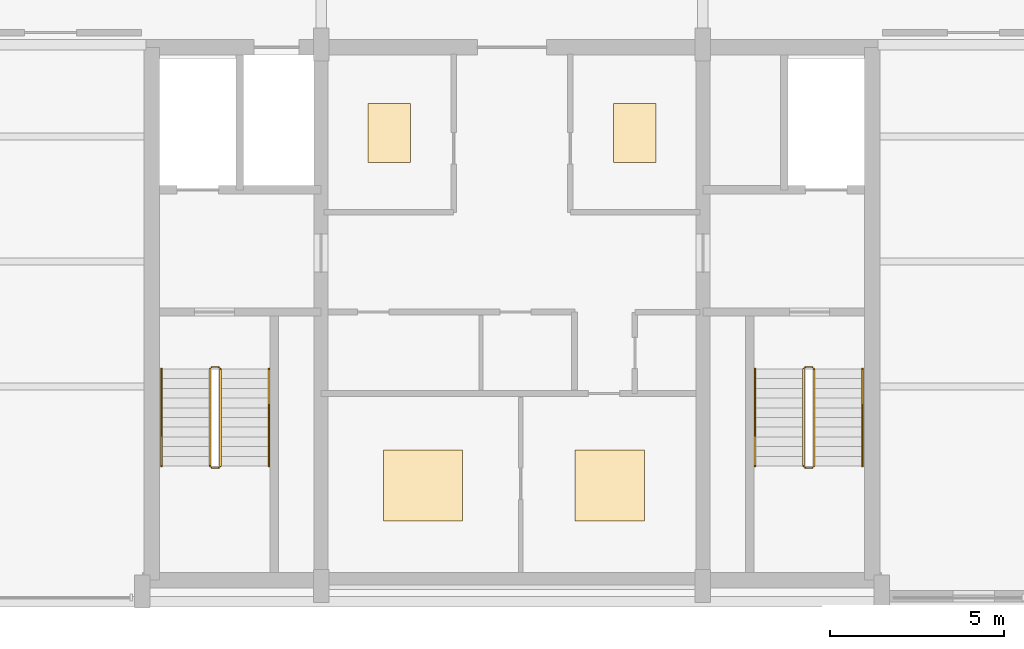
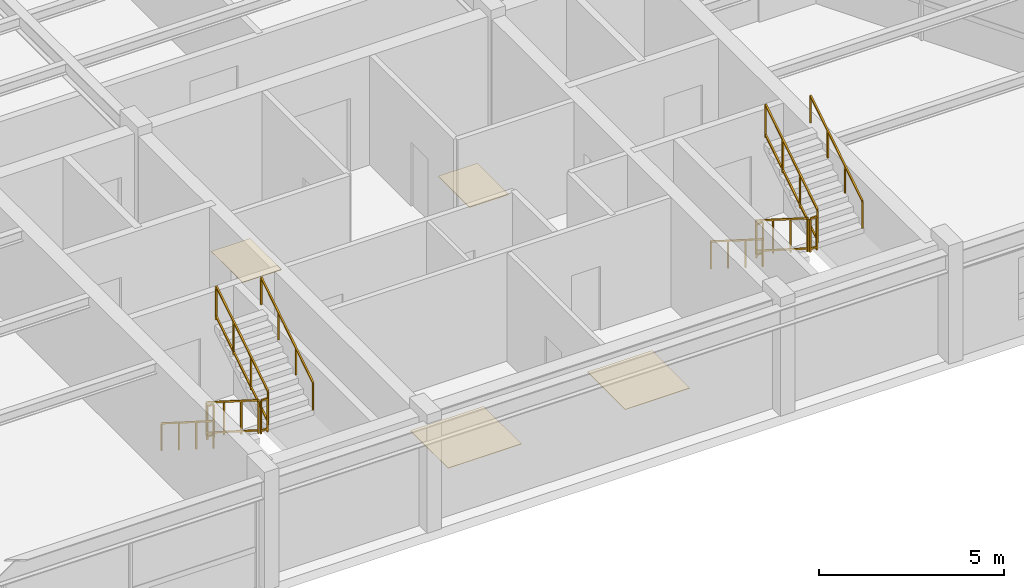
# One storey, part 12 of 12: 12 railings, 4 coverings.
"""IFC4 building model written with IfcOpenShell, lengths in metres."""

from ifc_helpers import new_model, si_unit, direction, frame, origin, origin_2d, place, context, subcontext, project, spatial, rectangle, extrude, source, transform, mapped, material, layer, layer_set, type_object, element, save


model = new_model("IFC4")

# Units and contexts
model_context = context("Model", 3, precision=1e-05, world=origin(), true_north=direction((0.0, 1.0)))
body_context = subcontext(model_context, "Body", "Model", "MODEL_VIEW")
ifc_project = project(units=[si_unit("LENGTHUNIT", "METRE"), si_unit("AREAUNIT", "SQUARE_METRE"), si_unit("VOLUMEUNIT", "CUBIC_METRE"), si_unit("PLANEANGLEUNIT", "RADIAN"), si_unit("MASSUNIT", "GRAM", prefix="KILO")], contexts=[model_context])

# Site, building, storey
site_placement = place(None, origin())
site = spatial("IfcSite", under=ifc_project, at=site_placement, CompositionType="ELEMENT")
building_placement = place(site_placement, origin())
building = spatial("IfcBuilding", under=site, at=building_placement, Name="Varnakhor Terracotta Tower", CompositionType="ELEMENT")
storey_placement = place(building_placement, frame((0.0, 0.0, 317.5)))
storey = spatial("IfcBuildingStorey", under=building, at=storey_placement, Name="L83 Crown", CompositionType="ELEMENT", Elevation=317.5)

# Railings
ifc_material_1 = material(Name="Painted Steel Stairwell Guardrail", Category="steel")
railing_type_1 = type_object("IfcRailingType", Name="RLG-STAIR-GUARD-1120", PredefinedType="GUARDRAIL", material=ifc_material_1)
railing_1_placement = place(storey_placement, frame((-8.699951171875, 6.7099609375, 0.17724609375)))
element("IfcRailing", 1, at=railing_1_placement, inside=storey, type_object=railing_type_1, Name="L83 Crown ST-1 stair guard 1", PredefinedType="GUARDRAIL", context=body_context, shape_type="SweptSolid", body=[
    extrude(rectangle(XDim=0.048095703125, YDim=0.048095703125, at=origin_2d()), frame((0.0, 0.0, 1.09619140625), z_axis=(0.0, -0.844908973607, 0.534910110503), x_axis=(1.0, 0.0, 0.0)), (0.0, 0.0, 1.0), 3.31396484375),
    extrude(rectangle(XDim=0.048095703125, YDim=0.048095703125, at=origin_2d()), frame((0.0, 0.0, 0.10009765625), z_axis=(0.0, -0.844908973607, 0.534910110503), x_axis=(1.0, 0.0, 0.0)), (0.0, 0.0, 1.0), 3.31396484375),
    extrude(rectangle(XDim=0.0419921875, YDim=0.0419921875, at=origin_2d()), origin(), (0.0, 0.0, 1.0), 1.072021484375),
    extrude(rectangle(XDim=0.0419921875, YDim=0.0419921875, at=origin_2d()), frame((0.0, -0.933349609375, 0.5908203125)), (0.0, 0.0, 1.0), 1.072021484375),
    extrude(rectangle(XDim=0.0419921875, YDim=0.0419921875, at=origin_2d()), frame((0.0, -1.86669921875, 1.181884765625)), (0.0, 0.0, 1.0), 1.072021484375),
    extrude(rectangle(XDim=0.0419921875, YDim=0.0419921875, at=origin_2d()), frame((0.0, -2.800048828125, 1.772705078125)), (0.0, 0.0, 1.0), 1.072021484375),
])
railing_2_placement = place(storey_placement, frame((-8.64990234375, 3.860107421875, 1.949951171875)))
element("IfcRailing", 2, at=railing_2_placement, inside=storey, type_object=railing_type_1, Name="L83 Crown ST-1 stair guard 2", PredefinedType="GUARDRAIL", context=body_context, shape_type="SweptSolid", body=[
    extrude(rectangle(XDim=0.048095703125, YDim=0.048095703125, at=origin_2d()), frame((0.0, 0.0, 1.09619140625), z_axis=(1.0, 0.0, 0.0), x_axis=(0.0, 1.0, 0.0)), (0.0, 0.0, 1.0), 0.199951171875),
    extrude(rectangle(XDim=0.048095703125, YDim=0.048095703125, at=origin_2d()), frame((0.0, 0.0, 0.10009765625), z_axis=(1.0, 0.0, 0.0), x_axis=(0.0, 1.0, 0.0)), (0.0, 0.0, 1.0), 0.199951171875),
    extrude(rectangle(XDim=0.0419921875, YDim=0.0419921875, at=origin_2d()), origin(), (0.0, 0.0, 1.0), 1.072021484375),
    extrude(rectangle(XDim=0.0419921875, YDim=0.0419921875, at=origin_2d()), frame((0.199951171875, 0.0, 0.0)), (0.0, 0.0, 1.0), 1.072021484375),
])
railing_3_placement = place(storey_placement, frame((-8.39990234375, 3.909912109375, 2.127197265625)))
element("IfcRailing", 3, at=railing_3_placement, inside=storey, type_object=railing_type_1, Name="L83 Crown ST-1 stair guard 3", PredefinedType="GUARDRAIL", context=body_context, shape_type="SweptSolid", body=[
    extrude(rectangle(XDim=0.048095703125, YDim=0.048095703125, at=origin_2d()), frame((0.0, 0.0, 1.09619140625), z_axis=(0.0, 0.844908973607, 0.534910110503), x_axis=(-1.0, 0.0, 0.0)), (0.0, 0.0, 1.0), 3.31396484375),
    extrude(rectangle(XDim=0.048095703125, YDim=0.048095703125, at=origin_2d()), frame((0.0, 0.0, 0.10009765625), z_axis=(0.0, 0.844908973607, 0.534910110503), x_axis=(-1.0, 0.0, 0.0)), (0.0, 0.0, 1.0), 3.31396484375),
    extrude(rectangle(XDim=0.0419921875, YDim=0.0419921875, at=origin_2d()), origin(), (0.0, 0.0, 1.0), 1.072021484375),
    extrude(rectangle(XDim=0.0419921875, YDim=0.0419921875, at=origin_2d()), frame((0.0, 0.933349609375, 0.5908203125)), (0.0, 0.0, 1.0), 1.072021484375),
    extrude(rectangle(XDim=0.0419921875, YDim=0.0419921875, at=origin_2d()), frame((0.0, 1.86669921875, 1.181884765625)), (0.0, 0.0, 1.0), 1.072021484375),
    extrude(rectangle(XDim=0.0419921875, YDim=0.0419921875, at=origin_2d()), frame((0.0, 2.800048828125, 1.772705078125)), (0.0, 0.0, 1.0), 1.072021484375),
])
railing_4_placement = place(storey_placement, frame((-8.64990234375, 6.760009765625, 0.0)))
element("IfcRailing", 4, at=railing_4_placement, inside=storey, type_object=railing_type_1, Name="L83 Crown ST-1 stair guard 4", PredefinedType="GUARDRAIL", context=body_context, shape_type="SweptSolid", body=[
    extrude(rectangle(XDim=0.048095703125, YDim=0.048095703125, at=origin_2d()), frame((0.0, 0.0, 1.09619140625), z_axis=(1.0, 0.0, 0.0), x_axis=(0.0, 1.0, 0.0)), (0.0, 0.0, 1.0), 0.199951171875),
    extrude(rectangle(XDim=0.048095703125, YDim=0.048095703125, at=origin_2d()), frame((0.0, 0.0, 0.10009765625), z_axis=(1.0, 0.0, 0.0), x_axis=(0.0, 1.0, 0.0)), (0.0, 0.0, 1.0), 0.199951171875),
    extrude(rectangle(XDim=0.0419921875, YDim=0.0419921875, at=origin_2d()), origin(), (0.0, 0.0, 1.0), 1.072021484375),
    extrude(rectangle(XDim=0.0419921875, YDim=0.0419921875, at=origin_2d()), frame((0.199951171875, 0.0, 0.0)), (0.0, 0.0, 1.0), 1.072021484375),
])
railing_5_placement = place(storey_placement, frame((8.39990234375, 6.7099609375, 0.17724609375)))
element("IfcRailing", 5, at=railing_5_placement, inside=storey, type_object=railing_type_1, Name="L83 Crown ST-2 stair guard 1", PredefinedType="GUARDRAIL", context=body_context, shape_type="SweptSolid", body=[
    extrude(rectangle(XDim=0.048095703125, YDim=0.048095703125, at=origin_2d()), frame((0.0, 0.0, 1.09619140625), z_axis=(0.0, -0.844908973607, 0.534910110503), x_axis=(1.0, 0.0, 0.0)), (0.0, 0.0, 1.0), 3.31396484375),
    extrude(rectangle(XDim=0.048095703125, YDim=0.048095703125, at=origin_2d()), frame((0.0, 0.0, 0.10009765625), z_axis=(0.0, -0.844908973607, 0.534910110503), x_axis=(1.0, 0.0, 0.0)), (0.0, 0.0, 1.0), 3.31396484375),
    extrude(rectangle(XDim=0.0419921875, YDim=0.0419921875, at=origin_2d()), origin(), (0.0, 0.0, 1.0), 1.072021484375),
    extrude(rectangle(XDim=0.0419921875, YDim=0.0419921875, at=origin_2d()), frame((0.0, -0.933349609375, 0.5908203125)), (0.0, 0.0, 1.0), 1.072021484375),
    extrude(rectangle(XDim=0.0419921875, YDim=0.0419921875, at=origin_2d()), frame((0.0, -1.86669921875, 1.181884765625)), (0.0, 0.0, 1.0), 1.072021484375),
    extrude(rectangle(XDim=0.0419921875, YDim=0.0419921875, at=origin_2d()), frame((0.0, -2.800048828125, 1.772705078125)), (0.0, 0.0, 1.0), 1.072021484375),
])
railing_6_placement = place(storey_placement, frame((8.449951171875, 3.860107421875, 1.949951171875)))
element("IfcRailing", 6, at=railing_6_placement, inside=storey, type_object=railing_type_1, Name="L83 Crown ST-2 stair guard 2", PredefinedType="GUARDRAIL", context=body_context, shape_type="SweptSolid", body=[
    extrude(rectangle(XDim=0.048095703125, YDim=0.048095703125, at=origin_2d()), frame((0.0, 0.0, 1.09619140625), z_axis=(1.0, 0.0, 0.0), x_axis=(0.0, 1.0, 0.0)), (0.0, 0.0, 1.0), 0.199951171875),
    extrude(rectangle(XDim=0.048095703125, YDim=0.048095703125, at=origin_2d()), frame((0.0, 0.0, 0.10009765625), z_axis=(1.0, 0.0, 0.0), x_axis=(0.0, 1.0, 0.0)), (0.0, 0.0, 1.0), 0.199951171875),
    extrude(rectangle(XDim=0.0419921875, YDim=0.0419921875, at=origin_2d()), origin(), (0.0, 0.0, 1.0), 1.072021484375),
    extrude(rectangle(XDim=0.0419921875, YDim=0.0419921875, at=origin_2d()), frame((0.199951171875, 0.0, 0.0)), (0.0, 0.0, 1.0), 1.072021484375),
])
railing_7_placement = place(storey_placement, frame((8.699951171875, 3.909912109375, 2.127197265625)))
element("IfcRailing", 7, at=railing_7_placement, inside=storey, type_object=railing_type_1, Name="L83 Crown ST-2 stair guard 3", PredefinedType="GUARDRAIL", context=body_context, shape_type="SweptSolid", body=[
    extrude(rectangle(XDim=0.048095703125, YDim=0.048095703125, at=origin_2d()), frame((0.0, 0.0, 1.09619140625), z_axis=(0.0, 0.844908973607, 0.534910110503), x_axis=(-1.0, 0.0, 0.0)), (0.0, 0.0, 1.0), 3.31396484375),
    extrude(rectangle(XDim=0.048095703125, YDim=0.048095703125, at=origin_2d()), frame((0.0, 0.0, 0.10009765625), z_axis=(0.0, 0.844908973607, 0.534910110503), x_axis=(-1.0, 0.0, 0.0)), (0.0, 0.0, 1.0), 3.31396484375),
    extrude(rectangle(XDim=0.0419921875, YDim=0.0419921875, at=origin_2d()), origin(), (0.0, 0.0, 1.0), 1.072021484375),
    extrude(rectangle(XDim=0.0419921875, YDim=0.0419921875, at=origin_2d()), frame((0.0, 0.933349609375, 0.5908203125)), (0.0, 0.0, 1.0), 1.072021484375),
    extrude(rectangle(XDim=0.0419921875, YDim=0.0419921875, at=origin_2d()), frame((0.0, 1.86669921875, 1.181884765625)), (0.0, 0.0, 1.0), 1.072021484375),
    extrude(rectangle(XDim=0.0419921875, YDim=0.0419921875, at=origin_2d()), frame((0.0, 2.800048828125, 1.772705078125)), (0.0, 0.0, 1.0), 1.072021484375),
])
railing_8_placement = place(storey_placement, frame((8.449951171875, 6.760009765625, 0.0)))
element("IfcRailing", 8, at=railing_8_placement, inside=storey, type_object=railing_type_1, Name="L83 Crown ST-2 stair guard 4", PredefinedType="GUARDRAIL", context=body_context, shape_type="SweptSolid", body=[
    extrude(rectangle(XDim=0.048095703125, YDim=0.048095703125, at=origin_2d()), frame((0.0, 0.0, 1.09619140625), z_axis=(1.0, 0.0, 0.0), x_axis=(0.0, 1.0, 0.0)), (0.0, 0.0, 1.0), 0.199951171875),
    extrude(rectangle(XDim=0.048095703125, YDim=0.048095703125, at=origin_2d()), frame((0.0, 0.0, 0.10009765625), z_axis=(1.0, 0.0, 0.0), x_axis=(0.0, 1.0, 0.0)), (0.0, 0.0, 1.0), 0.199951171875),
    extrude(rectangle(XDim=0.0419921875, YDim=0.0419921875, at=origin_2d()), origin(), (0.0, 0.0, 1.0), 1.072021484375),
    extrude(rectangle(XDim=0.0419921875, YDim=0.0419921875, at=origin_2d()), frame((0.199951171875, 0.0, 0.0)), (0.0, 0.0, 1.0), 1.072021484375),
])
ifc_material_2 = material(Name="Brushed Stainless Steel Handrail", Category="steel")
railing_type_2 = type_object("IfcRailingType", Name="RLG-STAIR-HANDRAIL-920", PredefinedType="HANDRAIL", material=ifc_material_2)
railing_9_placement = place(storey_placement, frame((-10.10009765625, 6.7099609375, 0.17724609375)))
element("IfcRailing", 9, at=railing_9_placement, inside=storey, type_object=railing_type_2, Name="L83 Crown ST-1 stair handrail 1", PredefinedType="HANDRAIL", context=body_context, shape_type="SweptSolid", body=[
    extrude(rectangle(XDim=0.048095703125, YDim=0.048095703125, at=origin_2d()), frame((0.0, 0.0, 0.89599609375), z_axis=(0.0, -0.844908973607, 0.534910110503), x_axis=(1.0, 0.0, 0.0)), (0.0, 0.0, 1.0), 3.31396484375),
    extrude(rectangle(XDim=0.0419921875, YDim=0.0419921875, at=origin_2d()), origin(), (0.0, 0.0, 1.0), 0.871826171875),
    extrude(rectangle(XDim=0.0419921875, YDim=0.0419921875, at=origin_2d()), frame((0.0, -0.933349609375, 0.5908203125)), (0.0, 0.0, 1.0), 0.871826171875),
    extrude(rectangle(XDim=0.0419921875, YDim=0.0419921875, at=origin_2d()), frame((0.0, -1.86669921875, 1.181884765625)), (0.0, 0.0, 1.0), 0.871826171875),
    extrude(rectangle(XDim=0.0419921875, YDim=0.0419921875, at=origin_2d()), frame((0.0, -2.800048828125, 1.772705078125)), (0.0, 0.0, 1.0), 0.871826171875),
])
railing_10_placement = place(storey_placement, frame((-7.0, 3.909912109375, 2.127197265625)))
element("IfcRailing", 10, at=railing_10_placement, inside=storey, type_object=railing_type_2, Name="L83 Crown ST-1 stair handrail 2", PredefinedType="HANDRAIL", context=body_context, shape_type="SweptSolid", body=[
    extrude(rectangle(XDim=0.048095703125, YDim=0.048095703125, at=origin_2d()), frame((0.0, 0.0, 0.89599609375), z_axis=(0.0, 0.844908973607, 0.534910110503), x_axis=(-1.0, 0.0, 0.0)), (0.0, 0.0, 1.0), 3.31396484375),
    extrude(rectangle(XDim=0.0419921875, YDim=0.0419921875, at=origin_2d()), origin(), (0.0, 0.0, 1.0), 0.871826171875),
    extrude(rectangle(XDim=0.0419921875, YDim=0.0419921875, at=origin_2d()), frame((0.0, 0.933349609375, 0.5908203125)), (0.0, 0.0, 1.0), 0.871826171875),
    extrude(rectangle(XDim=0.0419921875, YDim=0.0419921875, at=origin_2d()), frame((0.0, 1.86669921875, 1.181884765625)), (0.0, 0.0, 1.0), 0.871826171875),
    extrude(rectangle(XDim=0.0419921875, YDim=0.0419921875, at=origin_2d()), frame((0.0, 2.800048828125, 1.772705078125)), (0.0, 0.0, 1.0), 0.871826171875),
])
railing_11_placement = place(storey_placement, frame((7.0, 6.7099609375, 0.17724609375)))
element("IfcRailing", 11, at=railing_11_placement, inside=storey, type_object=railing_type_2, Name="L83 Crown ST-2 stair handrail 1", PredefinedType="HANDRAIL", context=body_context, shape_type="SweptSolid", body=[
    extrude(rectangle(XDim=0.048095703125, YDim=0.048095703125, at=origin_2d()), frame((0.0, 0.0, 0.89599609375), z_axis=(0.0, -0.844908973607, 0.534910110503), x_axis=(1.0, 0.0, 0.0)), (0.0, 0.0, 1.0), 3.31396484375),
    extrude(rectangle(XDim=0.0419921875, YDim=0.0419921875, at=origin_2d()), origin(), (0.0, 0.0, 1.0), 0.871826171875),
    extrude(rectangle(XDim=0.0419921875, YDim=0.0419921875, at=origin_2d()), frame((0.0, -0.933349609375, 0.5908203125)), (0.0, 0.0, 1.0), 0.871826171875),
    extrude(rectangle(XDim=0.0419921875, YDim=0.0419921875, at=origin_2d()), frame((0.0, -1.86669921875, 1.181884765625)), (0.0, 0.0, 1.0), 0.871826171875),
    extrude(rectangle(XDim=0.0419921875, YDim=0.0419921875, at=origin_2d()), frame((0.0, -2.800048828125, 1.772705078125)), (0.0, 0.0, 1.0), 0.871826171875),
])
railing_12_placement = place(storey_placement, frame((10.10009765625, 3.909912109375, 2.127197265625)))
element("IfcRailing", 12, at=railing_12_placement, inside=storey, type_object=railing_type_2, Name="L83 Crown ST-2 stair handrail 2", PredefinedType="HANDRAIL", context=body_context, shape_type="SweptSolid", body=[
    extrude(rectangle(XDim=0.048095703125, YDim=0.048095703125, at=origin_2d()), frame((0.0, 0.0, 0.89599609375), z_axis=(0.0, 0.844908973607, 0.534910110503), x_axis=(-1.0, 0.0, 0.0)), (0.0, 0.0, 1.0), 3.31396484375),
    extrude(rectangle(XDim=0.0419921875, YDim=0.0419921875, at=origin_2d()), origin(), (0.0, 0.0, 1.0), 0.871826171875),
    extrude(rectangle(XDim=0.0419921875, YDim=0.0419921875, at=origin_2d()), frame((0.0, 0.933349609375, 0.5908203125)), (0.0, 0.0, 1.0), 0.871826171875),
    extrude(rectangle(XDim=0.0419921875, YDim=0.0419921875, at=origin_2d()), frame((0.0, 1.86669921875, 1.181884765625)), (0.0, 0.0, 1.0), 0.871826171875),
    extrude(rectangle(XDim=0.0419921875, YDim=0.0419921875, at=origin_2d()), frame((0.0, 2.800048828125, 1.772705078125)), (0.0, 0.0, 1.0), 0.871826171875),
])

# Coverings
ifc_material_3 = material(Name="Insulated Elastomeric Waterproof Roofing Membrane", Category="other")
ifc_layer = layer(ifc_material_3, 0.034912109375, Name="Insulated Elastomeric Waterproof Roofing Membrane")
ifc_layer_set = layer_set([ifc_layer], Name="Insulated Elastomeric Waterproof Roofing Membrane")
covering_type = type_object("IfcCoveringType", Name="COV-ROOF-MEMBRANE", PredefinedType="ROOFING", material=ifc_layer_set)
shared_shape_1 = source(origin(), body_context, "Body", "SweptSolid", [
    extrude(rectangle(XDim=2.281982421875, YDim=2.041015625, at=origin_2d()), origin(), (0.0, 0.0, 1.0), 0.014892578125),
])
covering_1_placement = place(storey_placement, frame((-2.56494140625, 3.35498046875, 0.0), z_axis=(0.0, 0.0, 1.0), x_axis=(1.0, 0.0, 0.0)))
element("IfcCovering", 13, at=covering_1_placement, inside=storey, type_object=covering_type, Name="L83 Crown Waterproof Plant Membrane 1", PredefinedType="ROOFING", context=body_context, shape_type="MappedRepresentation", body=[
    mapped(shared_shape_1, transform((0.0, 0.0, 0.0), scale=1.0)),
])
shared_shape_2 = source(origin(), body_context, "Body", "SweptSolid", [
    extrude(rectangle(XDim=2.007080078125, YDim=2.041015625, at=origin_2d()), origin(), (0.0, 0.0, 1.0), 0.014892578125),
])
covering_2_placement = place(storey_placement, frame((2.81494140625, 3.35498046875, 0.0), z_axis=(0.0, 0.0, 1.0), x_axis=(1.0, 0.0, 0.0)))
element("IfcCovering", 14, at=covering_2_placement, inside=storey, type_object=covering_type, Name="L83 Crown Waterproof Plant Membrane 2", PredefinedType="ROOFING", context=body_context, shape_type="MappedRepresentation", body=[
    mapped(shared_shape_2, transform((0.0, 0.0, 0.0), scale=1.0)),
])
shared_shape_3 = source(origin(), body_context, "Body", "SweptSolid", [
    extrude(rectangle(XDim=1.215087890625, YDim=1.694091796875, at=origin_2d()), origin(), (0.0, 0.0, 1.0), 0.014892578125),
])
for number, where, z_axis, x_axis, name in (
    (15, (-3.534912109375, 13.510009765625, 0.0), (0.0, 0.0, 1.0), (1.0, 0.0, 0.0), "L83 Crown Waterproof Plant Membrane 3"),
    (16, (3.534912109375, 13.510009765625, 0.0), (0.0, 0.0, 1.0), (1.0, 0.0, 0.0), "L83 Crown Waterproof Plant Membrane 4"),
):
    element("IfcCovering", number, at=place(storey_placement, frame(where, z_axis=z_axis, x_axis=x_axis)), inside=storey, type_object=covering_type, Name=name, PredefinedType="ROOFING", context=body_context, shape_type="MappedRepresentation", body=[
        mapped(shared_shape_3, transform((0.0, 0.0, 0.0), scale=1.0)),
    ])

save(model, "model.ifc")
